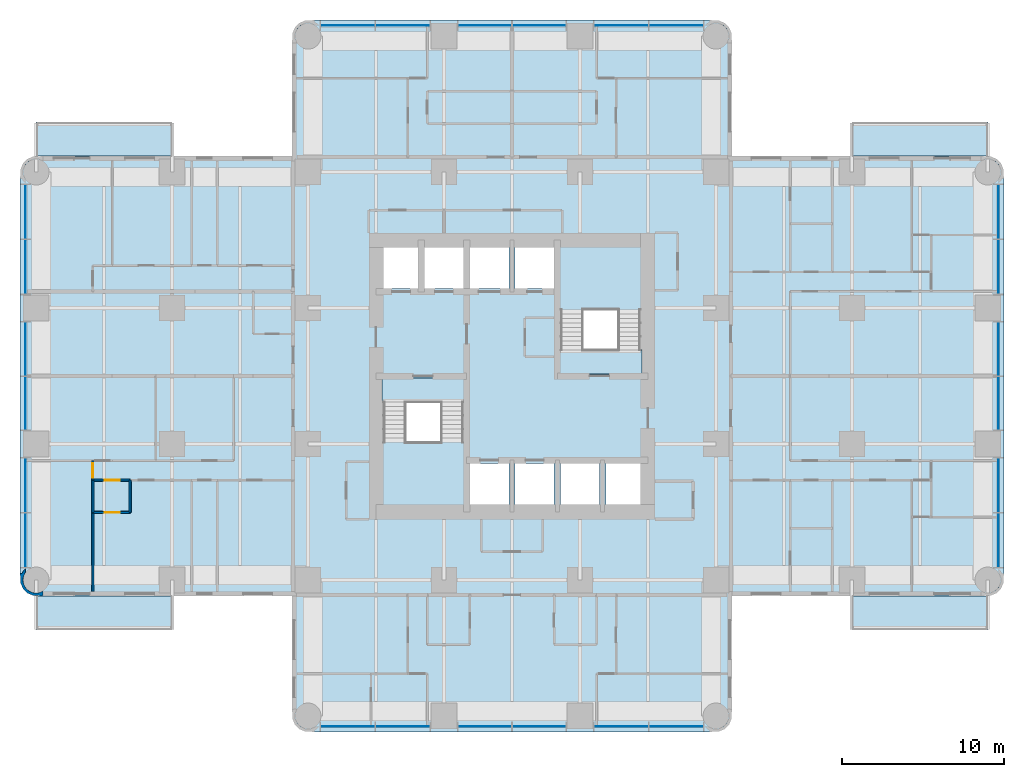
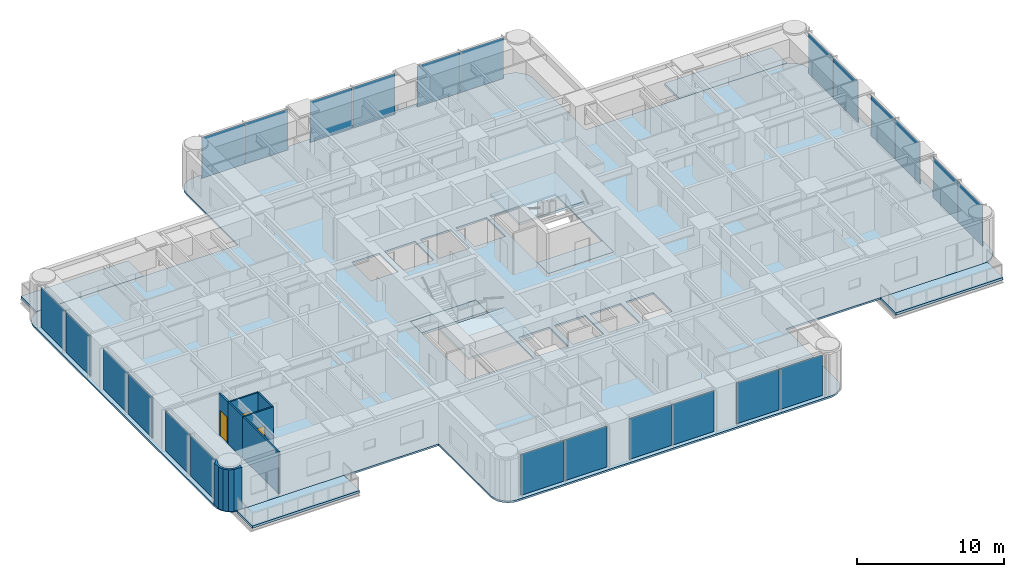
# One storey, part 5 of 15: 24 plates, 9 slabs, 7 walls, 3 doors, 3 openings, 6 elements without a shape of their own.
"""IFC4 building model written with IfcOpenShell, lengths in metres."""

from ifc_helpers import new_model, si_unit, direction, frame, frame_2d, origin, origin_2d, place, context, subcontext, project, spatial, polyline, rectangle, outline, extrude, material, layer, layer_set, type_object, element, fill, aggregate, save


model = new_model("IFC4")

# Units and contexts
model_context = context("Model", 3, precision=1e-05, world=origin(), true_north=direction((0.0, 1.0)))
body_context = subcontext(model_context, "Body", "Model", "MODEL_VIEW")
ifc_project = project(units=[si_unit("LENGTHUNIT", "METRE"), si_unit("AREAUNIT", "SQUARE_METRE"), si_unit("VOLUMEUNIT", "CUBIC_METRE"), si_unit("PLANEANGLEUNIT", "RADIAN"), si_unit("MASSUNIT", "GRAM", prefix="KILO")], contexts=[model_context])

# Site, building, storey
site_placement = place(None, origin())
site = spatial("IfcSite", under=ifc_project, at=site_placement, CompositionType="ELEMENT")
building_placement = place(site_placement, origin())
building = spatial("IfcBuilding", under=site, at=building_placement, Name="Torre Alcanfor", CompositionType="ELEMENT")
storey_placement = place(building_placement, frame((0.0, 0.0, 119.699951171875)))
storey = spatial("IfcBuildingStorey", under=building, at=storey_placement, Name="L30", CompositionType="ELEMENT", Elevation=119.699951171875)

# Slabs
ifc_material_1 = material(Name="Concrete f'c 35 MPa", Category="concrete")
ifc_layer_1 = layer(ifc_material_1, 0.199951171875)
ifc_layer_set_1 = layer_set([ifc_layer_1], Name="Balcony slab 200")
slab_type_1 = type_object("IfcSlabType", Name="Balcony slab 200", PredefinedType="FLOOR", material=ifc_layer_set_1)
slab_1_placement = place(storey_placement, frame((0.0, 0.0, -0.199951171875)))
element("IfcSlab", 1, at=slab_1_placement, inside=storey, type_object=slab_type_1, Name="Balcony L30-E1", PredefinedType="FLOOR", context=body_context, shape_type="SweptSolid", body=[
    extrude(outline(polyline([(50.39990234375, 43.0), (58.800048828125, 43.0), (58.800048828125, 45.10009765625), (50.39990234375, 45.10009765625), (50.39990234375, 43.0)])), origin(), (0.0, 0.0, 1.0), 0.199951171875),
])
slab_2_placement = place(storey_placement, frame((0.0, 0.0, -0.199951171875)))
element("IfcSlab", 2, at=slab_2_placement, inside=storey, type_object=slab_type_1, Name="Balcony L30-E2", PredefinedType="FLOOR", context=body_context, shape_type="SweptSolid", body=[
    extrude(outline(polyline([(50.39990234375, 13.699951171875), (58.800048828125, 13.699951171875), (58.800048828125, 15.800048828125), (50.39990234375, 15.800048828125), (50.39990234375, 13.699951171875)])), origin(), (0.0, 0.0, 1.0), 0.199951171875),
])
slab_3_placement = place(storey_placement, frame((0.0, 0.0, -0.199951171875)))
element("IfcSlab", 3, at=slab_3_placement, inside=storey, type_object=slab_type_1, Name="Balcony L30-W1", PredefinedType="FLOOR", context=body_context, shape_type="SweptSolid", body=[
    extrude(outline(polyline([(8.39990234375, 15.800048828125), (0.0, 15.800048828125), (0.0, 13.699951171875), (8.39990234375, 13.699951171875), (8.39990234375, 15.800048828125)])), origin(), (0.0, 0.0, 1.0), 0.199951171875),
])
slab_4_placement = place(storey_placement, frame((0.0, 0.0, -0.199951171875)))
element("IfcSlab", 4, at=slab_4_placement, inside=storey, type_object=slab_type_1, Name="Balcony L30-W2", PredefinedType="FLOOR", context=body_context, shape_type="SweptSolid", body=[
    extrude(outline(polyline([(8.39990234375, 45.10009765625), (0.0, 45.10009765625), (0.0, 43.0), (8.39990234375, 43.0), (8.39990234375, 45.10009765625)])), origin(), (0.0, 0.0, 1.0), 0.199951171875),
])

# Curtain wall, plates
ifc_material_2 = material(Name="Aluminium and glass", Category="aluminium")
curtain_wall_type = type_object("IfcCurtainWallType", Name="CW-A unitised apartment glazing with vertical FIN", PredefinedType="NOTDEFINED", material=ifc_material_2)
curtain_wall_1_placement = place(storey_placement, origin())
curtain_wall_1 = element("IfcCurtainWall", 5, at=curtain_wall_1_placement, inside=storey, type_object=curtain_wall_type, Name="Curtain wall CW-A L30 2", PredefinedType="NOTDEFINED")
ifc_material_3 = material(Name="Glass", Category="glass")
ifc_layer_2 = layer(ifc_material_3, 0.028076171875)
ifc_layer_set_2 = layer_set([ifc_layer_2], Name="CW-A clear double glazed unit")
plate_type = type_object("IfcPlateType", Name="CW-A clear double glazed unit", PredefinedType="CURTAIN_PANEL", material=ifc_layer_set_2)
plate_1_placement = place(storey_placement, frame((-0.64990234375, 39.541259765625, 0.0), z_axis=(0.0, 0.0, 1.0), x_axis=(0.0, -1.0, 0.0)))
plate_1 = element("IfcPlate", 6, at=plate_1_placement, type_object=plate_type, Name="CW-A panel 1.1.1", PredefinedType="CURTAIN_PANEL", context=body_context, shape_type="SweptSolid", body=[
    extrude(rectangle(XDim=3.337646484375, YDim=0.028076171875, at=origin_2d()), origin(), (0.0, 0.0, 1.0), 3.385009765625),
])
plate_2_placement = place(storey_placement, frame((-0.64990234375, 36.138671875, 0.0), z_axis=(0.0, 0.0, 1.0), x_axis=(0.0, -1.0, 0.0)))
plate_2 = element("IfcPlate", 7, at=plate_2_placement, type_object=plate_type, Name="CW-A panel 1.2.1", PredefinedType="CURTAIN_PANEL", context=body_context, shape_type="SweptSolid", body=[
    extrude(rectangle(XDim=3.337646484375, YDim=0.028076171875, at=origin_2d()), origin(), (0.0, 0.0, 1.0), 3.385009765625),
])
plate_3_placement = place(storey_placement, frame((-0.64990234375, 31.081298828125, 0.0), z_axis=(0.0, 0.0, 1.0), x_axis=(0.0, -1.0, 0.0)))
plate_3 = element("IfcPlate", 8, at=plate_3_placement, type_object=plate_type, Name="CW-A panel 2.1.1", PredefinedType="CURTAIN_PANEL", context=body_context, shape_type="SweptSolid", body=[
    extrude(rectangle(XDim=3.297607421875, YDim=0.028076171875, at=origin_2d()), origin(), (0.0, 0.0, 1.0), 3.385009765625),
])
plate_4_placement = place(storey_placement, frame((-0.64990234375, 27.71875, 0.0), z_axis=(0.0, 0.0, 1.0), x_axis=(0.0, -1.0, 0.0)))
plate_4 = element("IfcPlate", 9, at=plate_4_placement, type_object=plate_type, Name="CW-A panel 2.2.1", PredefinedType="CURTAIN_PANEL", context=body_context, shape_type="SweptSolid", body=[
    extrude(rectangle(XDim=3.297607421875, YDim=0.028076171875, at=origin_2d()), origin(), (0.0, 0.0, 1.0), 3.385009765625),
])
plate_5_placement = place(storey_placement, frame((-0.64990234375, 22.6611328125, 0.0), z_axis=(0.0, 0.0, 1.0), x_axis=(0.0, -1.0, 0.0)))
plate_5 = element("IfcPlate", 10, at=plate_5_placement, type_object=plate_type, Name="CW-A panel 3.1.1", PredefinedType="CURTAIN_PANEL", context=body_context, shape_type="SweptSolid", body=[
    extrude(rectangle(XDim=3.337646484375, YDim=0.028076171875, at=origin_2d()), origin(), (0.0, 0.0, 1.0), 3.385009765625),
])
plate_6_placement = place(storey_placement, frame((-0.64990234375, 19.2587890625, 0.0), z_axis=(0.0, 0.0, 1.0), x_axis=(0.0, -1.0, 0.0)))
plate_6 = element("IfcPlate", 11, at=plate_6_placement, type_object=plate_type, Name="CW-A panel 3.2.1", PredefinedType="CURTAIN_PANEL", context=body_context, shape_type="SweptSolid", body=[
    extrude(rectangle(XDim=3.337646484375, YDim=0.028076171875, at=origin_2d()), origin(), (0.0, 0.0, 1.0), 3.385009765625),
])
aggregate(curtain_wall_1, [plate_1, plate_2, plate_3, plate_4, plate_5, plate_6])

curtain_wall_2_placement = place(storey_placement, origin())
curtain_wall_2 = element("IfcCurtainWall", 12, at=curtain_wall_2_placement, inside=storey, type_object=curtain_wall_type, Name="Curtain wall CW-A L30 5", PredefinedType="NOTDEFINED")
plate_7_placement = place(storey_placement, frame((19.2587890625, 7.75, 0.0), z_axis=(0.0, 0.0, 1.0), x_axis=(1.0, 0.0, 0.0)))
plate_7 = element("IfcPlate", 13, at=plate_7_placement, type_object=plate_type, Name="CW-A panel 1.1.1", PredefinedType="CURTAIN_PANEL", context=body_context, shape_type="SweptSolid", body=[
    extrude(rectangle(XDim=3.337646484375, YDim=0.028076171875, at=origin_2d()), origin(), (0.0, 0.0, 1.0), 3.385009765625),
])
plate_8_placement = place(storey_placement, frame((22.6611328125, 7.75, 0.0), z_axis=(0.0, 0.0, 1.0), x_axis=(1.0, 0.0, 0.0)))
plate_8 = element("IfcPlate", 14, at=plate_8_placement, type_object=plate_type, Name="CW-A panel 1.2.1", PredefinedType="CURTAIN_PANEL", context=body_context, shape_type="SweptSolid", body=[
    extrude(rectangle(XDim=3.337646484375, YDim=0.028076171875, at=origin_2d()), origin(), (0.0, 0.0, 1.0), 3.385009765625),
])
plate_9_placement = place(storey_placement, frame((27.71875, 7.75, 0.0), z_axis=(0.0, 0.0, 1.0), x_axis=(1.0, 0.0, 0.0)))
plate_9 = element("IfcPlate", 15, at=plate_9_placement, type_object=plate_type, Name="CW-A panel 2.1.1", PredefinedType="CURTAIN_PANEL", context=body_context, shape_type="SweptSolid", body=[
    extrude(rectangle(XDim=3.297607421875, YDim=0.028076171875, at=origin_2d()), origin(), (0.0, 0.0, 1.0), 3.385009765625),
])
plate_10_placement = place(storey_placement, frame((31.081298828125, 7.75, 0.0), z_axis=(0.0, 0.0, 1.0), x_axis=(1.0, 0.0, 0.0)))
plate_10 = element("IfcPlate", 16, at=plate_10_placement, type_object=plate_type, Name="CW-A panel 2.2.1", PredefinedType="CURTAIN_PANEL", context=body_context, shape_type="SweptSolid", body=[
    extrude(rectangle(XDim=3.297607421875, YDim=0.028076171875, at=origin_2d()), origin(), (0.0, 0.0, 1.0), 3.385009765625),
])
plate_11_placement = place(storey_placement, frame((36.138671875, 7.75, 0.0), z_axis=(0.0, 0.0, 1.0), x_axis=(1.0, 0.0, 0.0)))
plate_11 = element("IfcPlate", 17, at=plate_11_placement, type_object=plate_type, Name="CW-A panel 3.1.1", PredefinedType="CURTAIN_PANEL", context=body_context, shape_type="SweptSolid", body=[
    extrude(rectangle(XDim=3.337646484375, YDim=0.028076171875, at=origin_2d()), origin(), (0.0, 0.0, 1.0), 3.385009765625),
])
plate_12_placement = place(storey_placement, frame((39.541259765625, 7.75, 0.0), z_axis=(0.0, 0.0, 1.0), x_axis=(1.0, 0.0, 0.0)))
plate_12 = element("IfcPlate", 18, at=plate_12_placement, type_object=plate_type, Name="CW-A panel 3.2.1", PredefinedType="CURTAIN_PANEL", context=body_context, shape_type="SweptSolid", body=[
    extrude(rectangle(XDim=3.337646484375, YDim=0.028076171875, at=origin_2d()), origin(), (0.0, 0.0, 1.0), 3.385009765625),
])
aggregate(curtain_wall_2, [plate_7, plate_8, plate_9, plate_10, plate_11, plate_12])

curtain_wall_3_placement = place(storey_placement, origin())
curtain_wall_3 = element("IfcCurtainWall", 19, at=curtain_wall_3_placement, inside=storey, type_object=curtain_wall_type, Name="Curtain wall CW-A L30 8", PredefinedType="NOTDEFINED")
plate_13_placement = place(storey_placement, frame((59.449951171875, 19.2587890625, 0.0), z_axis=(0.0, 0.0, 1.0), x_axis=(0.0, 1.0, 0.0)))
plate_13 = element("IfcPlate", 20, at=plate_13_placement, type_object=plate_type, Name="CW-A panel 1.1.1", PredefinedType="CURTAIN_PANEL", context=body_context, shape_type="SweptSolid", body=[
    extrude(rectangle(XDim=3.337646484375, YDim=0.028076171875, at=origin_2d()), origin(), (0.0, 0.0, 1.0), 3.385009765625),
])
plate_14_placement = place(storey_placement, frame((59.449951171875, 22.6611328125, 0.0), z_axis=(0.0, 0.0, 1.0), x_axis=(0.0, 1.0, 0.0)))
plate_14 = element("IfcPlate", 21, at=plate_14_placement, type_object=plate_type, Name="CW-A panel 1.2.1", PredefinedType="CURTAIN_PANEL", context=body_context, shape_type="SweptSolid", body=[
    extrude(rectangle(XDim=3.337646484375, YDim=0.028076171875, at=origin_2d()), origin(), (0.0, 0.0, 1.0), 3.385009765625),
])
plate_15_placement = place(storey_placement, frame((59.449951171875, 27.71875, 0.0), z_axis=(0.0, 0.0, 1.0), x_axis=(0.0, 1.0, 0.0)))
plate_15 = element("IfcPlate", 22, at=plate_15_placement, type_object=plate_type, Name="CW-A panel 2.1.1", PredefinedType="CURTAIN_PANEL", context=body_context, shape_type="SweptSolid", body=[
    extrude(rectangle(XDim=3.297607421875, YDim=0.028076171875, at=origin_2d()), origin(), (0.0, 0.0, 1.0), 3.385009765625),
])
plate_16_placement = place(storey_placement, frame((59.449951171875, 31.081298828125, 0.0), z_axis=(0.0, 0.0, 1.0), x_axis=(0.0, 1.0, 0.0)))
plate_16 = element("IfcPlate", 23, at=plate_16_placement, type_object=plate_type, Name="CW-A panel 2.2.1", PredefinedType="CURTAIN_PANEL", context=body_context, shape_type="SweptSolid", body=[
    extrude(rectangle(XDim=3.297607421875, YDim=0.028076171875, at=origin_2d()), origin(), (0.0, 0.0, 1.0), 3.385009765625),
])
plate_17_placement = place(storey_placement, frame((59.449951171875, 36.138671875, 0.0), z_axis=(0.0, 0.0, 1.0), x_axis=(0.0, 1.0, 0.0)))
plate_17 = element("IfcPlate", 24, at=plate_17_placement, type_object=plate_type, Name="CW-A panel 3.1.1", PredefinedType="CURTAIN_PANEL", context=body_context, shape_type="SweptSolid", body=[
    extrude(rectangle(XDim=3.337646484375, YDim=0.028076171875, at=origin_2d()), origin(), (0.0, 0.0, 1.0), 3.385009765625),
])
plate_18_placement = place(storey_placement, frame((59.449951171875, 39.541259765625, 0.0), z_axis=(0.0, 0.0, 1.0), x_axis=(0.0, 1.0, 0.0)))
plate_18 = element("IfcPlate", 25, at=plate_18_placement, type_object=plate_type, Name="CW-A panel 3.2.1", PredefinedType="CURTAIN_PANEL", context=body_context, shape_type="SweptSolid", body=[
    extrude(rectangle(XDim=3.337646484375, YDim=0.028076171875, at=origin_2d()), origin(), (0.0, 0.0, 1.0), 3.385009765625),
])
aggregate(curtain_wall_3, [plate_13, plate_14, plate_15, plate_16, plate_17, plate_18])

curtain_wall_4_placement = place(storey_placement, origin())
curtain_wall_4 = element("IfcCurtainWall", 26, at=curtain_wall_4_placement, inside=storey, type_object=curtain_wall_type, Name="Curtain wall CW-A L30 11", PredefinedType="NOTDEFINED")
plate_19_placement = place(storey_placement, frame((39.541259765625, 51.050048828125, 0.0), z_axis=(0.0, 0.0, 1.0), x_axis=(-1.0, 0.0, 0.0)))
plate_19 = element("IfcPlate", 27, at=plate_19_placement, type_object=plate_type, Name="CW-A panel 1.1.1", PredefinedType="CURTAIN_PANEL", context=body_context, shape_type="SweptSolid", body=[
    extrude(rectangle(XDim=3.337646484375, YDim=0.028076171875, at=origin_2d()), origin(), (0.0, 0.0, 1.0), 3.385009765625),
])
plate_20_placement = place(storey_placement, frame((36.138671875, 51.050048828125, 0.0), z_axis=(0.0, 0.0, 1.0), x_axis=(-1.0, 0.0, 0.0)))
plate_20 = element("IfcPlate", 28, at=plate_20_placement, type_object=plate_type, Name="CW-A panel 1.2.1", PredefinedType="CURTAIN_PANEL", context=body_context, shape_type="SweptSolid", body=[
    extrude(rectangle(XDim=3.337646484375, YDim=0.028076171875, at=origin_2d()), origin(), (0.0, 0.0, 1.0), 3.385009765625),
])
plate_21_placement = place(storey_placement, frame((31.081298828125, 51.050048828125, 0.0), z_axis=(0.0, 0.0, 1.0), x_axis=(-1.0, 0.0, 0.0)))
plate_21 = element("IfcPlate", 29, at=plate_21_placement, type_object=plate_type, Name="CW-A panel 2.1.1", PredefinedType="CURTAIN_PANEL", context=body_context, shape_type="SweptSolid", body=[
    extrude(rectangle(XDim=3.297607421875, YDim=0.028076171875, at=origin_2d()), origin(), (0.0, 0.0, 1.0), 3.385009765625),
])
plate_22_placement = place(storey_placement, frame((27.71875, 51.050048828125, 0.0), z_axis=(0.0, 0.0, 1.0), x_axis=(-1.0, 0.0, 0.0)))
plate_22 = element("IfcPlate", 30, at=plate_22_placement, type_object=plate_type, Name="CW-A panel 2.2.1", PredefinedType="CURTAIN_PANEL", context=body_context, shape_type="SweptSolid", body=[
    extrude(rectangle(XDim=3.297607421875, YDim=0.028076171875, at=origin_2d()), origin(), (0.0, 0.0, 1.0), 3.385009765625),
])
plate_23_placement = place(storey_placement, frame((22.6611328125, 51.050048828125, 0.0), z_axis=(0.0, 0.0, 1.0), x_axis=(-1.0, 0.0, 0.0)))
plate_23 = element("IfcPlate", 31, at=plate_23_placement, type_object=plate_type, Name="CW-A panel 3.1.1", PredefinedType="CURTAIN_PANEL", context=body_context, shape_type="SweptSolid", body=[
    extrude(rectangle(XDim=3.337646484375, YDim=0.028076171875, at=origin_2d()), origin(), (0.0, 0.0, 1.0), 3.385009765625),
])
plate_24_placement = place(storey_placement, frame((19.2587890625, 51.050048828125, 0.0), z_axis=(0.0, 0.0, 1.0), x_axis=(-1.0, 0.0, 0.0)))
plate_24 = element("IfcPlate", 32, at=plate_24_placement, type_object=plate_type, Name="CW-A panel 3.2.1", PredefinedType="CURTAIN_PANEL", context=body_context, shape_type="SweptSolid", body=[
    extrude(rectangle(XDim=3.337646484375, YDim=0.028076171875, at=origin_2d()), origin(), (0.0, 0.0, 1.0), 3.385009765625),
])
aggregate(curtain_wall_4, [plate_19, plate_20, plate_21, plate_22, plate_23, plate_24])

# Slab
ifc_material_4 = material(Name="Concrete f'c 35 MPa", Category="concrete")
ifc_layer_3 = layer(ifc_material_4, 0.14990234375)
ifc_layer_set_3 = layer_set([ifc_layer_3], Name="Composite floor 150 on metal deck")
slab_type_2 = type_object("IfcSlabType", Name="Composite floor 150 on metal deck", PredefinedType="FLOOR", material=ifc_layer_set_3)
slab_5_placement = place(storey_placement, frame((0.0, 0.0, -0.14990234375)))
element("IfcSlab", 33, at=slab_5_placement, inside=storey, type_object=slab_type_2, Name="Floor slab L30", PredefinedType="FLOOR", context=body_context, shape_type="SweptSolid", body=[
    extrude(outline(polyline([(15.800048828125, 43.0), (0.39990234375, 43.0), (0.03759765625, 42.952392578125), (-0.300048828125, 42.8125), (-0.58984375, 42.58984375), (-0.8125, 42.300048828125), (-0.952392578125, 41.96240234375), (-1.0, 41.60009765625), (-1.0, 17.199951171875), (-0.952392578125, 16.837646484375), (-0.8125, 16.5), (-0.58984375, 16.210205078125), (-0.300048828125, 15.987548828125), (0.03759765625, 15.84765625), (0.39990234375, 15.800048828125), (15.800048828125, 15.800048828125), (15.800048828125, 8.800048828125), (15.84765625, 8.437744140625), (15.987548828125, 8.10009765625), (16.210205078125, 7.81005859375), (16.5, 7.587646484375), (16.837646484375, 7.44775390625), (17.199951171875, 7.39990234375), (41.60009765625, 7.39990234375), (41.96240234375, 7.44775390625), (42.300048828125, 7.587646484375), (42.58984375, 7.81005859375), (42.8125, 8.10009765625), (42.952392578125, 8.437744140625), (43.0, 8.800048828125), (43.0, 15.800048828125), (58.39990234375, 15.800048828125), (58.76220703125, 15.84765625), (59.10009765625, 15.987548828125), (59.389892578125, 16.210205078125), (59.6123046875, 16.5), (59.752197265625, 16.837646484375), (59.800048828125, 17.199951171875), (59.800048828125, 41.60009765625), (59.752197265625, 41.96240234375), (59.6123046875, 42.300048828125), (59.389892578125, 42.58984375), (59.10009765625, 42.8125), (58.76220703125, 42.952392578125), (58.39990234375, 43.0), (43.0, 43.0), (43.0, 50.0), (42.952392578125, 50.3623046875), (42.8125, 50.699951171875), (42.58984375, 50.989990234375), (42.300048828125, 51.21240234375), (41.96240234375, 51.352294921875), (41.60009765625, 51.39990234375), (17.199951171875, 51.39990234375), (16.837646484375, 51.352294921875), (16.5, 51.21240234375), (16.210205078125, 50.989990234375), (15.987548828125, 50.699951171875), (15.84765625, 50.3623046875), (15.800048828125, 50.0), (15.800048828125, 43.0)]), holes=[polyline([(21.3701171875, 21.3701171875), (26.47998046875, 21.3701171875), (26.47998046875, 29.280029296875), (21.3701171875, 29.280029296875), (21.3701171875, 21.3701171875)]), polyline([(32.320068359375, 29.52001953125), (37.429931640625, 29.52001953125), (37.429931640625, 37.429931640625), (32.320068359375, 37.429931640625), (32.320068359375, 29.52001953125)]), polyline([(26.800048828125, 21.449951171875), (29.199951171875, 21.449951171875), (29.199951171875, 24.0), (26.800048828125, 24.0), (26.800048828125, 21.449951171875)]), polyline([(29.60009765625, 21.449951171875), (32.0, 21.449951171875), (32.0, 24.0), (29.60009765625, 24.0), (29.60009765625, 21.449951171875)]), polyline([(32.39990234375, 21.449951171875), (34.800048828125, 21.449951171875), (34.800048828125, 24.0), (32.39990234375, 24.0), (32.39990234375, 21.449951171875)]), polyline([(35.199951171875, 21.449951171875), (37.35009765625, 21.449951171875), (37.35009765625, 24.0), (35.199951171875, 24.0), (35.199951171875, 21.449951171875)]), polyline([(21.449951171875, 34.800048828125), (23.60009765625, 34.800048828125), (23.60009765625, 37.35009765625), (21.449951171875, 37.35009765625), (21.449951171875, 34.800048828125)]), polyline([(24.0, 34.800048828125), (26.39990234375, 34.800048828125), (26.39990234375, 37.35009765625), (24.0, 37.35009765625), (24.0, 34.800048828125)]), polyline([(26.800048828125, 34.800048828125), (29.199951171875, 34.800048828125), (29.199951171875, 37.35009765625), (26.800048828125, 37.35009765625), (26.800048828125, 34.800048828125)]), polyline([(29.60009765625, 34.800048828125), (32.0, 34.800048828125), (32.0, 37.35009765625), (29.60009765625, 37.35009765625), (29.60009765625, 34.800048828125)])]), origin(), (0.0, 0.0, 1.0), 0.14990234375),
])

# Stair, slabs
ifc_material_5 = material(Name="Concrete f'c 35 MPa", Category="concrete")
stair_type_1 = type_object("IfcStairType", Name="Exit stair S1 1400 wide", PredefinedType="HALF_TURN_STAIR", material=ifc_material_5)
stair_1_placement = place(storey_placement, origin())
stair_1 = element("IfcStair", 34, at=stair_1_placement, inside=storey, type_object=stair_type_1, Name="Stair S1 L30 to L31", PredefinedType="HALF_TURN_STAIR")
ifc_material_6 = material(Name="Concrete f'c 35 MPa", Category="concrete")
ifc_layer_4 = layer(ifc_material_6, 0.199951171875)
ifc_layer_set_4 = layer_set([ifc_layer_4], Name="Stair landing 200")
slab_type_3 = type_object("IfcSlabType", Name="Stair landing 200", PredefinedType="LANDING", material=ifc_layer_set_4)
slab_6_placement = place(storey_placement, frame((0.0, 0.0, -0.199951171875)))
slab_6 = element("IfcSlab", 35, at=slab_6_placement, type_object=slab_type_3, Name="S1 landing 1", PredefinedType="LANDING", context=body_context, shape_type="SweptSolid", body=[
    extrude(outline(polyline([(21.3701171875, 27.75), (26.47998046875, 27.75), (26.47998046875, 29.280029296875), (21.3701171875, 29.280029296875), (21.3701171875, 27.75)])), origin(), (0.0, 0.0, 1.0), 0.199951171875),
])
slab_7_placement = place(storey_placement, frame((0.0, 0.0, 1.60009765625)))
slab_7 = element("IfcSlab", 36, at=slab_7_placement, type_object=slab_type_3, Name="S1 landing 2", PredefinedType="LANDING", context=body_context, shape_type="SweptSolid", body=[
    extrude(outline(polyline([(21.3701171875, 21.3701171875), (26.47998046875, 21.3701171875), (26.47998046875, 25.330078125), (21.3701171875, 25.330078125), (21.3701171875, 21.3701171875)])), origin(), (0.0, 0.0, 1.0), 0.199951171875),
])
aggregate(stair_1, [slab_6, slab_7])

ifc_material_7 = material(Name="Concrete f'c 35 MPa", Category="concrete")
stair_type_2 = type_object("IfcStairType", Name="Exit stair S2 1400 wide", PredefinedType="HALF_TURN_STAIR", material=ifc_material_7)
stair_2_placement = place(storey_placement, origin())
stair_2 = element("IfcStair", 37, at=stair_2_placement, inside=storey, type_object=stair_type_2, Name="Stair S2 L30 to L31", PredefinedType="HALF_TURN_STAIR")
slab_8_placement = place(storey_placement, frame((0.0, 0.0, -0.199951171875)))
slab_8 = element("IfcSlab", 38, at=slab_8_placement, type_object=slab_type_3, Name="S2 landing 1", PredefinedType="LANDING", context=body_context, shape_type="SweptSolid", body=[
    extrude(outline(polyline([(32.320068359375, 29.52001953125), (37.429931640625, 29.52001953125), (37.429931640625, 31.050048828125), (32.320068359375, 31.050048828125), (32.320068359375, 29.52001953125)])), origin(), (0.0, 0.0, 1.0), 0.199951171875),
])
slab_9_placement = place(storey_placement, frame((0.0, 0.0, 1.60009765625)))
slab_9 = element("IfcSlab", 39, at=slab_9_placement, type_object=slab_type_3, Name="S2 landing 2", PredefinedType="LANDING", context=body_context, shape_type="SweptSolid", body=[
    extrude(outline(polyline([(32.320068359375, 33.469970703125), (37.429931640625, 33.469970703125), (37.429931640625, 37.429931640625), (32.320068359375, 37.429931640625), (32.320068359375, 33.469970703125)])), origin(), (0.0, 0.0, 1.0), 0.199951171875),
])
aggregate(stair_2, [slab_8, slab_9])

# Wall, opening, door
ifc_material_8 = material(Name="Gypsum board on steel studs", Category="steel")
ifc_layer_5 = layer(ifc_material_8, 0.1201171875)
ifc_layer_set_5 = layer_set([ifc_layer_5], Name="Apartment partition 120")
wall_type_1 = type_object("IfcWallType", Name="Apartment partition 120", PredefinedType="PARTITIONING", material=ifc_layer_set_5)
wall_1_placement = place(storey_placement, frame((3.5, 22.970947265625, 0.0), z_axis=(0.0, 0.0, 1.0), x_axis=(1.0, 0.0, 0.0)))
wall_1 = element("IfcWall", 40, at=wall_1_placement, inside=storey, type_object=wall_type_1, Name="Partition L30-W1-HALL / L30-W1-VEST", PredefinedType="PARTITIONING", context=body_context, shape_type="SweptSolid", body=[
    extrude(rectangle(XDim=2.300048828125, YDim=0.1201171875, at=frame_2d((1.14990234375, 0.0))), origin(), (0.0, 0.0, 1.0), 3.449951171875),
])
opening_1_placement = place(wall_1_placement, frame((0.75, 0.0, 0.0)))
opening_1 = element("IfcOpeningElement", 41, at=opening_1_placement, cuts=wall_1, Name="Opening D-R1", PredefinedType="OPENING", context=body_context, shape_type="SweptSolid", body=[
    extrude(rectangle(XDim=0.89990234375, YDim=2.10009765625, at=frame_2d((0.449951171875, 1.050048828125))), frame((0.0, 0.070068359375, 0.0), z_axis=(0.0, -1.0, 0.0), x_axis=(1.0, 0.0, 0.0)), (0.0, 0.0, 1.0), 0.14013671875),
])
ifc_material_9 = material(Name="Timber", Category="wood")
door_type = type_object("IfcDoorType", Name="Internal door 900x2100", OperationType="SINGLE_SWING_LEFT", PredefinedType="DOOR", material=ifc_material_9)
door_1_placement = place(opening_1_placement, frame((0.89990234375, 0.0, 0.0), z_axis=(0.0, 0.0, 1.0), x_axis=(-1.0, 0.0, 0.0)))
door_1 = element("IfcDoor", 42, at=door_1_placement, inside=storey, type_object=door_type, Name="Door L30-W1 vest", OperationType="SINGLE_SWING_LEFT", OverallHeight=2.10009765625, OverallWidth=0.89990234375, PredefinedType="DOOR", context=body_context, shape_type="SweptSolid", body=[
    extrude(rectangle(XDim=0.89990234375, YDim=2.10009765625, at=frame_2d((0.449951171875, 1.050048828125))), frame((0.0, 0.025146484375, 0.0), z_axis=(0.0, -1.0, 0.0), x_axis=(1.0, 0.0, 0.0)), (0.0, 0.0, 1.0), 0.050048828125),
])
fill(opening_1, door_1)

wall_2_placement = place(storey_placement, frame((3.5, 24.1708984375, 0.0), z_axis=(0.0, 0.0, 1.0), x_axis=(0.0, -1.0, 0.0)))
wall_2 = element("IfcWall", 43, at=wall_2_placement, inside=storey, type_object=wall_type_1, Name="Partition L30-W1-HALL / L30-W1-WGARD", PredefinedType="PARTITIONING", context=body_context, shape_type="SweptSolid", body=[
    extrude(rectangle(XDim=1.199951171875, YDim=0.1201171875, at=frame_2d((0.60009765625, 0.0))), origin(), (0.0, 0.0, 1.0), 3.449951171875),
])
opening_2_placement = place(wall_2_placement, frame((0.15087890625, 0.0, 0.0)))
opening_2 = element("IfcOpeningElement", 44, at=opening_2_placement, cuts=wall_2, Name="Opening D-R1", PredefinedType="OPENING", context=body_context, shape_type="SweptSolid", body=[
    extrude(rectangle(XDim=0.89990234375, YDim=2.10009765625, at=frame_2d((0.449951171875, 1.050048828125))), frame((0.0, 0.070068359375, 0.0), z_axis=(0.0, -1.0, 0.0), x_axis=(1.0, 0.0, 0.0)), (0.0, 0.0, 1.0), 0.14013671875),
])
door_2_placement = place(opening_2_placement, frame((0.89990234375, 0.0, 0.0), z_axis=(0.0, 0.0, 1.0), x_axis=(-1.0, 0.0, 0.0)))
door_2 = element("IfcDoor", 45, at=door_2_placement, inside=storey, type_object=door_type, Name="Door L30-W1 wgard", OperationType="SINGLE_SWING_RIGHT", OverallHeight=2.10009765625, OverallWidth=0.89990234375, PredefinedType="DOOR", context=body_context, shape_type="SweptSolid", body=[
    extrude(rectangle(XDim=0.89990234375, YDim=2.10009765625, at=frame_2d((0.449951171875, 1.050048828125))), frame((0.0, 0.025146484375, 0.0), z_axis=(0.0, -1.0, 0.0), x_axis=(1.0, 0.0, 0.0)), (0.0, 0.0, 1.0), 0.050048828125),
])
fill(opening_2, door_2)

wall_3_placement = place(storey_placement, frame((3.5, 20.970947265625, 0.0), z_axis=(0.0, 0.0, 1.0), x_axis=(1.0, 0.0, 0.0)))
wall_3 = element("IfcWall", 46, at=wall_3_placement, inside=storey, type_object=wall_type_1, Name="Partition L30-W1-MASTER / L30-W1-VEST", PredefinedType="PARTITIONING", context=body_context, shape_type="SweptSolid", body=[
    extrude(rectangle(XDim=2.300048828125, YDim=0.1201171875, at=frame_2d((1.14990234375, 0.0))), origin(), (0.0, 0.0, 1.0), 3.449951171875),
])
opening_3_placement = place(wall_3_placement, frame((0.75, 0.0, 0.0)))
opening_3 = element("IfcOpeningElement", 47, at=opening_3_placement, cuts=wall_3, Name="Opening D-R1", PredefinedType="OPENING", context=body_context, shape_type="SweptSolid", body=[
    extrude(rectangle(XDim=0.89990234375, YDim=2.10009765625, at=frame_2d((0.449951171875, 1.050048828125))), frame((0.0, 0.070068359375, 0.0), z_axis=(0.0, -1.0, 0.0), x_axis=(1.0, 0.0, 0.0)), (0.0, 0.0, 1.0), 0.14013671875),
])
door_3_placement = place(opening_3_placement, origin())
door_3 = element("IfcDoor", 48, at=door_3_placement, inside=storey, type_object=door_type, Name="Door L30-W1 master", OperationType="SINGLE_SWING_RIGHT", OverallHeight=2.10009765625, OverallWidth=0.89990234375, PredefinedType="DOOR", context=body_context, shape_type="SweptSolid", body=[
    extrude(rectangle(XDim=0.89990234375, YDim=2.10009765625, at=frame_2d((0.449951171875, 1.050048828125))), frame((0.0, 0.02490234375, 0.0), z_axis=(0.0, -1.0, 0.0), x_axis=(1.0, 0.0, 0.0)), (0.0, 0.0, 1.0), 0.050048828125),
])
fill(opening_3, door_3)

# Walls
wall_4_placement = place(storey_placement, frame((5.800048828125, 20.970947265625, 0.0), z_axis=(0.0, 0.0, 1.0), x_axis=(0.0, 1.0, 0.0)))
element("IfcWall", 49, at=wall_4_placement, inside=storey, type_object=wall_type_1, Name="Partition L30-W1-MASTER / L30-W1-VEST", PredefinedType="PARTITIONING", context=body_context, shape_type="SweptSolid", body=[
    extrude(rectangle(XDim=2.0, YDim=0.1201171875, at=frame_2d((1.0, 0.0))), origin(), (0.0, 0.0, 1.0), 3.449951171875),
])
wall_5_placement = place(storey_placement, frame((3.5, 16.10009765625, 0.0), z_axis=(0.0, 0.0, 1.0), x_axis=(0.0, 1.0, 0.0)))
element("IfcWall", 50, at=wall_5_placement, inside=storey, type_object=wall_type_1, Name="Partition L30-W1-MASTER / L30-W1-WGARD", PredefinedType="PARTITIONING", context=body_context, shape_type="SweptSolid", body=[
    extrude(rectangle(XDim=4.870849609375, YDim=0.1201171875, at=frame_2d((2.435546875, 0.0))), origin(), (0.0, 0.0, 1.0), 3.449951171875),
])
wall_6_placement = place(storey_placement, frame((3.5, 22.970947265625, 0.0), z_axis=(0.0, 0.0, 1.0), x_axis=(0.0, -1.0, 0.0)))
element("IfcWall", 51, at=wall_6_placement, inside=storey, type_object=wall_type_1, Name="Partition L30-W1-VEST / L30-W1-WGARD", PredefinedType="PARTITIONING", context=body_context, shape_type="SweptSolid", body=[
    extrude(rectangle(XDim=2.0, YDim=0.1201171875, at=frame_2d((1.0, 0.0))), origin(), (0.0, 0.0, 1.0), 3.449951171875),
])
ifc_material_10 = material(Name="Limestone cladding", Category="masonry")
ifc_layer_6 = layer(ifc_material_10, 0.0400390625, Name="Facing")
ifc_material_11 = material(Name="Ventilated air cavity")
ifc_layer_7 = layer(ifc_material_11, 0.02001953125, ventilated=True, Name="Ventilated joint")
ifc_material_12 = material(Name="Mineral wool insulation", Category="insulation")
ifc_layer_8 = layer(ifc_material_12, 0.10009765625, Name="Insulation")
ifc_material_13 = material(Name="Concrete f'c 35 MPa", Category="concrete")
ifc_layer_9 = layer(ifc_material_13, 0.139892578125, Name="Backing")
ifc_layer_set_6 = layer_set([ifc_layer_6, ifc_layer_7, ifc_layer_8, ifc_layer_9], Name="Rounded corner pier stone-clad 300")
wall_type_2 = type_object("IfcWallType", Name="Rounded corner pier stone-clad 300", PredefinedType="SOLIDWALL", material=ifc_layer_set_6)
wall_7_placement = place(storey_placement, frame((-0.595317512, 17.448071802, 0.0), z_axis=(0.0, 0.0, 1.0), x_axis=(-0.93923434088, -0.343276641956, 0.0)))
element("IfcWall", 52, at=wall_7_placement, inside=storey, type_object=wall_type_2, Name="Corner pier L30 14", PredefinedType="SOLIDWALL", context=body_context, shape_type="SweptSolid", body=[
    extrude(outline(polyline([(-0.36901687290747565, 1.8895155017116005), (-0.5091640790076659, 1.6212761977701722), (-0.4905903530283585, 1.6144877680830545), (-0.47948243923657013, 1.6086084348003613), (-0.21122522327048593, 1.6199972505432854), (0.08778883447046232, 1.5107119133580826), (0.3225108976454373, 1.2952164137736593), (0.4570343816413681, 1.0061292766156664), (0.470385530542732, 0.6877670550734887), (0.36101638558361415, 0.38852369207353665), (0.14552088599919094, 0.15380162889856172), (0.10803112982284666, 0.13657123594691412), (0.030844170047101382, -0.07461890759558078), (0.24094301513563465, 0.023009904898978376), (0.3335722649355225, 0.12354205241220817), (0.46526570659148436, 0.09412537095504334), (0.5319165148651629, 0.3931255880778293), (0.6305582647631567, 0.6630178779252955), (0.6143066479271062, 1.0445648337608835), (0.4533864294189357, 1.390867848169107), (0.172157378959642, 1.6490946263605986), (-0.09750560562882049, 1.747652568484677), (-0.36901687290747565, 1.8895155017116005)])), origin(), (0.0, 0.0, 1.0), 3.449951171875),
])

save(model, "model.ifc")
